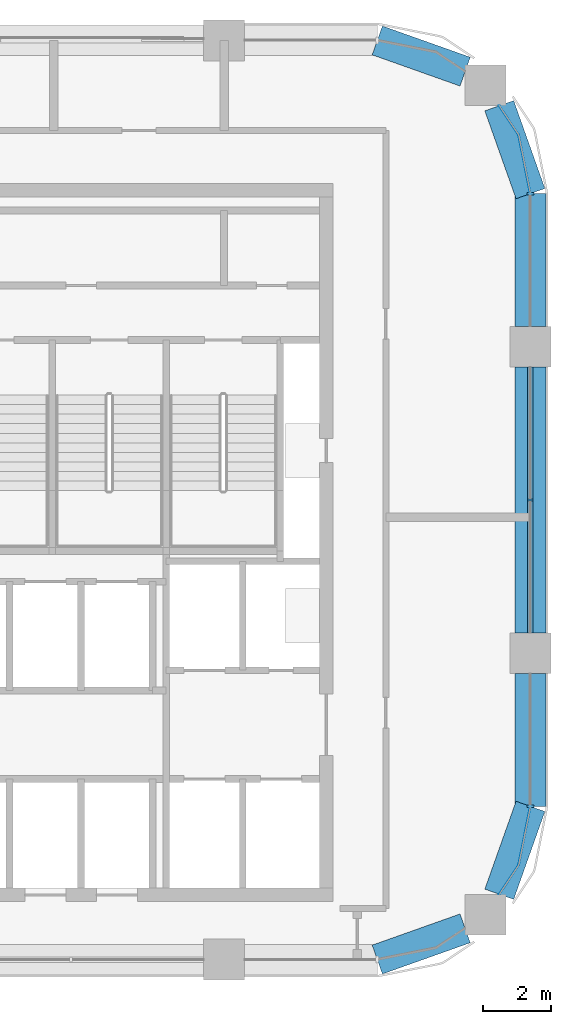
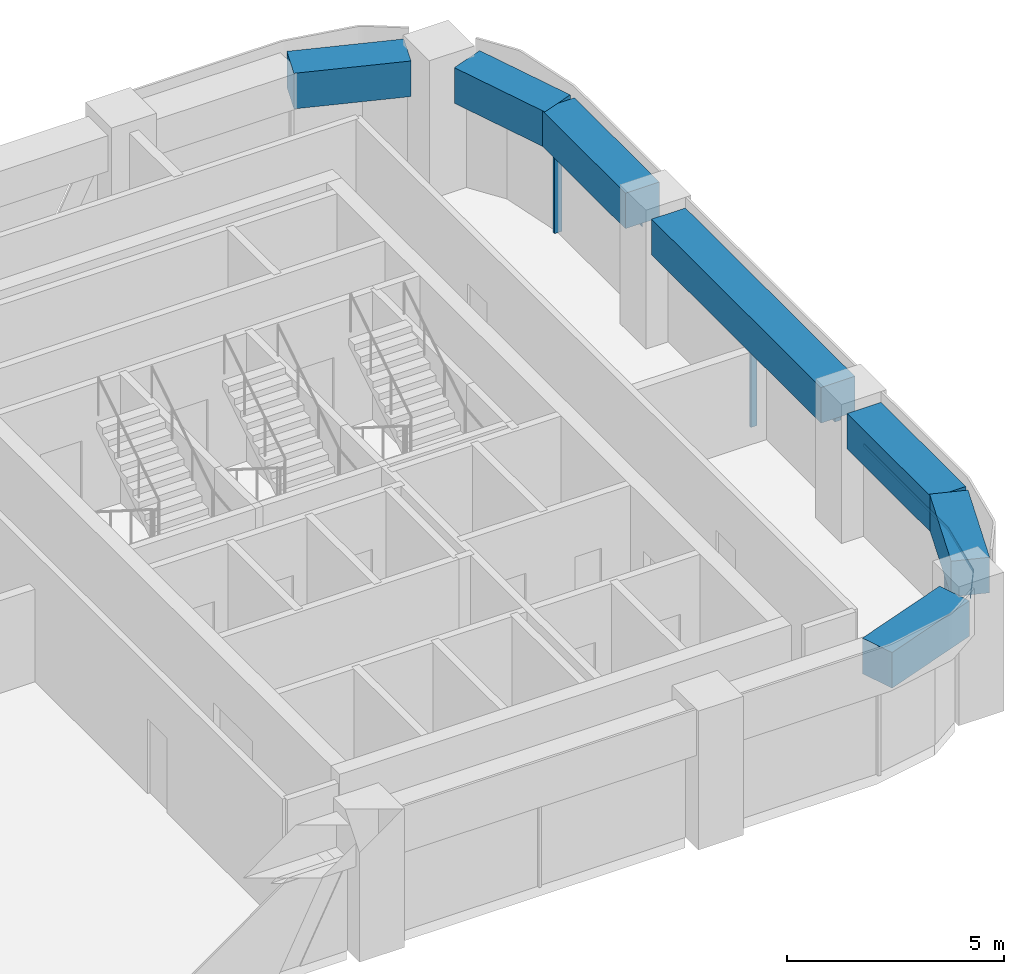
# One storey, part 5 of 10: 7 beams, 6 members, 3 elements without a shape of their own.
"""IFC4 building model written with IfcOpenShell, lengths in metres."""

from ifc_helpers import new_model, si_unit, direction, frame, origin, origin_2d, place, context, subcontext, project, spatial, polyline, rectangle, outline, extrude, material, material_profile, profile_set, type_object, element, aggregate, save


model = new_model("IFC4")

# Units and contexts
model_context = context("Model", 3, precision=1e-05, world=origin(), true_north=direction((0.0, 1.0)))
body_context = subcontext(model_context, "Body", "Model", "MODEL_VIEW")
ifc_project = project(units=[si_unit("LENGTHUNIT", "METRE"), si_unit("AREAUNIT", "SQUARE_METRE"), si_unit("VOLUMEUNIT", "CUBIC_METRE"), si_unit("PLANEANGLEUNIT", "RADIAN"), si_unit("MASSUNIT", "GRAM", prefix="KILO")], contexts=[model_context])

# Site, building, storey
site_placement = place(None, origin())
site = spatial("IfcSite", under=ifc_project, at=site_placement, CompositionType="ELEMENT")
building_placement = place(site_placement, origin())
building = spatial("IfcBuilding", under=site, at=building_placement, Name="Tessera Arch", CompositionType="ELEMENT")
storey_placement = place(building_placement, frame((0.0, 0.0, 261.800048828125)))
storey = spatial("IfcBuildingStorey", under=building, at=storey_placement, Name="L63", CompositionType="ELEMENT", Elevation=261.800048828125)

# Curtain wall, members
ifc_material_1 = material(Name="CW1 curtain wall")
curtain_wall_type_1 = type_object("IfcCurtainWallType", Name="CW1 curtain wall", PredefinedType="NOTDEFINED", material=ifc_material_1)
curtain_wall_1_placement = place(storey_placement, origin())
curtain_wall_1 = element("IfcCurtainWall", 1, at=curtain_wall_1_placement, inside=storey, type_object=curtain_wall_type_1, Name="CW1 curtain wall E54.27/0 L63", PredefinedType="NOTDEFINED")
ifc_material_2 = material(Name="Anodised aluminium pale metal", Category="aluminium")
ifc_material_profile_1 = material_profile(ifc_material_2, rectangle(XDim=0.159912109375, YDim=0.06005859375, at=origin_2d()), Name="AL 60x160")
ifc_profile_set_1 = profile_set([ifc_material_profile_1], Name="Anodised aluminium pale metal")
member_type_1 = type_object("IfcMemberType", Name="CW1 mullion", PredefinedType="MULLION", material=ifc_profile_set_1)
member_1_placement = place(storey_placement, frame((54.0, 40.5, 0.0), z_axis=(0.0, 0.0, 1.0), x_axis=(-1.0, 0.0, 0.0)))
member_1 = element("IfcMember", 2, at=member_1_placement, type_object=member_type_1, Name="CW1 mullion E54.27/0 1", PredefinedType="MULLION", context=body_context, shape_type="SweptSolid", body=[
    extrude(rectangle(XDim=0.159912109375, YDim=0.06005859375, at=origin_2d()), origin(), (0.0, 0.0, 1.0), 2.5),
])
ifc_material_3 = material(Name="Anodised aluminium pale metal", Category="aluminium")
ifc_material_profile_2 = material_profile(ifc_material_3, rectangle(XDim=0.159912109375, YDim=0.10009765625, at=origin_2d()), Name="AL 160x100")
ifc_profile_set_2 = profile_set([ifc_material_profile_2], Name="Anodised aluminium pale metal")
member_type_2 = type_object("IfcMemberType", Name="CW1 transom", PredefinedType="USERDEFINED", material=ifc_profile_set_2)
member_2_placement = place(storey_placement, frame((54.0, 36.60009765625, 2.550048828125), z_axis=(0.0, 1.0, 0.0), x_axis=(-1.0, 0.0, 0.0)))
member_2 = element("IfcMember", 3, at=member_2_placement, type_object=member_type_2, Name="CW1 transom E54.27/0 1.1", ObjectType="TRANSOM", PredefinedType="USERDEFINED", context=body_context, shape_type="SweptSolid", body=[
    extrude(rectangle(XDim=0.159912109375, YDim=0.10009765625, at=origin_2d()), origin(), (0.0, 0.0, 1.0), 7.7998046875),
])
aggregate(curtain_wall_1, [member_1, member_2])

# Curtain wall, member
ifc_material_4 = material(Name="CW2 curtain wall")
curtain_wall_type_2 = type_object("IfcCurtainWallType", Name="CW2 curtain wall", PredefinedType="NOTDEFINED", material=ifc_material_4)
curtain_wall_2_placement = place(storey_placement, origin())
curtain_wall_2 = element("IfcCurtainWall", 4, at=curtain_wall_2_placement, inside=storey, type_object=curtain_wall_type_2, Name="CW2 curtain wall E54.27/1 L63", PredefinedType="NOTDEFINED")
ifc_material_5 = material(Name="Anodised aluminium pale metal", Category="aluminium")
ifc_material_profile_3 = material_profile(ifc_material_5, rectangle(XDim=0.199951171875, YDim=0.080078125, at=origin_2d()), Name="AL 80x200")
ifc_profile_set_3 = profile_set([ifc_material_profile_3], Name="Anodised aluminium pale metal")
member_type_3 = type_object("IfcMemberType", Name="CW2 mullion", PredefinedType="MULLION", material=ifc_profile_set_3)
member_3_placement = place(storey_placement, frame((54.0, 49.5, 0.0), z_axis=(0.0, 0.0, 1.0), x_axis=(-1.0, 0.0, 0.0)))
member_3 = element("IfcMember", 5, at=member_3_placement, type_object=member_type_3, Name="CW2 mullion E54.27/1 1", PredefinedType="MULLION", context=body_context, shape_type="SweptSolid", body=[
    extrude(rectangle(XDim=0.199951171875, YDim=0.080078125, at=origin_2d()), origin(), (0.0, 0.0, 1.0), 2.5),
])

curtain_wall_3_placement = place(storey_placement, origin())
curtain_wall_3 = element("IfcCurtainWall", 6, at=curtain_wall_3_placement, inside=storey, type_object=curtain_wall_type_2, Name="CW2 curtain wall E54.27/2 L63", PredefinedType="NOTDEFINED")
member_4_placement = place(storey_placement, frame((54.0, 31.5, 0.0), z_axis=(0.0, 0.0, 1.0), x_axis=(-1.0, 0.0, 0.0)))
member_4 = element("IfcMember", 7, at=member_4_placement, type_object=member_type_3, Name="CW2 mullion E54.27/2 1", PredefinedType="MULLION", context=body_context, shape_type="SweptSolid", body=[
    extrude(rectangle(XDim=0.199951171875, YDim=0.080078125, at=origin_2d()), origin(), (0.0, 0.0, 1.0), 2.5),
])

# Member
ifc_material_6 = material(Name="Anodised aluminium pale metal", Category="aluminium")
ifc_material_profile_4 = material_profile(ifc_material_6, rectangle(XDim=0.199951171875, YDim=0.10009765625, at=origin_2d()), Name="AL 200x100")
ifc_profile_set_4 = profile_set([ifc_material_profile_4], Name="Anodised aluminium pale metal")
member_type_4 = type_object("IfcMemberType", Name="CW2 transom", PredefinedType="USERDEFINED", material=ifc_profile_set_4)
member_5_placement = place(storey_placement, frame((0.0, 0.0, 2.5)))
member_5 = element("IfcMember", 8, at=member_5_placement, type_object=member_type_4, Name="CW2 transom E54.27/1 1", ObjectType="TRANSOM", PredefinedType="USERDEFINED", context=body_context, shape_type="SweptSolid", body=[
    extrude(outline(polyline([(53.989990234375, 49.4990234375), (53.989990234375, 45.60009765625), (54.010009765625, 45.60009765625), (54.010009765625, 49.5009765625), (53.6669921875, 51.22607421875), (53.09130859375, 52.087646484375), (53.07470703125, 52.076416015625), (53.648193359375, 51.21826171875), (53.989990234375, 49.4990234375)])), origin(), (0.0, 0.0, 1.0), 0.099853515625),
])

aggregate(curtain_wall_2, [member_3, member_5])

member_6_placement = place(storey_placement, frame((0.0, 0.0, 2.5)))
member_6 = element("IfcMember", 9, at=member_6_placement, type_object=member_type_4, Name="CW2 transom E54.27/2 1", ObjectType="TRANSOM", PredefinedType="USERDEFINED", context=body_context, shape_type="SweptSolid", body=[
    extrude(outline(polyline([(53.648193359375, 29.78173828125), (53.07470703125, 28.923583984375), (53.09130859375, 28.912353515625), (53.6669921875, 29.77392578125), (54.010009765625, 31.4990234375), (54.010009765625, 35.39990234375), (53.989990234375, 35.39990234375), (53.989990234375, 31.5009765625), (53.648193359375, 29.78173828125)])), origin(), (0.0, 0.0, 1.0), 0.099853515625),
])

aggregate(curtain_wall_3, [member_4, member_6])

# Beams
ifc_material_7 = material(Name="Concrete C60/75", Category="concrete")
ifc_material_profile_5 = material_profile(ifc_material_7, rectangle(XDim=0.89990234375, YDim=1.0, at=origin_2d()), Name="RC spandrel beam 900 x 1000 Concrete C60/75")
ifc_profile_set_5 = profile_set([ifc_material_profile_5], Name="Concrete C60/75")
beam_type = type_object("IfcBeamType", Name="RC spandrel beam 900 x 1000 Concrete C60/75", PredefinedType="BEAM", material=ifc_profile_set_5)
beam_1_placement = place(storey_placement, frame((54.0, 36.60009765625, 3.099853515625), z_axis=(0.0, 1.0, 0.0), x_axis=(-1.0, 0.0, 0.0)))
element("IfcBeam", 10, at=beam_1_placement, inside=storey, type_object=beam_type, Name="Spandrel beam L63 E54.27/0", PredefinedType="BEAM", context=body_context, shape_type="SweptSolid", body=[
    extrude(rectangle(XDim=0.89990234375, YDim=1.0, at=origin_2d()), origin(), (0.0, 0.0, 1.0), 7.7998046875),
])
beam_2_placement = place(storey_placement, frame((54.0, 45.60009765625, 3.099853515625), z_axis=(0.0, 1.0, 0.0), x_axis=(-1.0, 0.0, 0.0)))
element("IfcBeam", 11, at=beam_2_placement, inside=storey, type_object=beam_type, Name="Spandrel beam L63 E54.27/1.1", PredefinedType="BEAM", context=body_context, shape_type="SweptSolid", body=[
    extrude(rectangle(XDim=0.89990234375, YDim=1.0, at=origin_2d()), origin(), (0.0, 0.0, 1.0), 3.89990234375),
])
for number, where, z_axis, x_axis, name in (
    (12, (54.0, 49.5, 3.099853515625), (-0.334665114373, 0.942337127159, 0.0), (-0.942337127159, -0.334665114373, 0.0), "Spandrel beam L63 E54.27/1.2"),
    (13, (52.08203125, 53.0830078125, 3.099853515625), (-0.942337127159, 0.334665114373, 0.0), (-0.334665114373, -0.942337127159, 0.0), "Spandrel beam L63 N54.18/0.1"),
    (14, (49.5, 27.0, 3.099853515625), (0.942337127159, 0.334665114373, 0.0), (-0.334665114373, 0.942337127159, 0.0), "Spandrel beam L63 S27.18/3.2"),
    (15, (53.0830078125, 28.91796875, 3.099853515625), (0.334665114373, 0.942337127159, 0.0), (-0.942337127159, 0.334665114373, 0.0), "Spandrel beam L63 E54.27/2.1"),
):
    element("IfcBeam", number, at=place(storey_placement, frame(where, z_axis=z_axis, x_axis=x_axis)), inside=storey, type_object=beam_type, Name=name, PredefinedType="BEAM", context=body_context, shape_type="SweptSolid", body=[
        extrude(rectangle(XDim=0.89990234375, YDim=1.0, at=origin_2d()), origin(), (0.0, 0.0, 1.0), 2.739990234375),
    ])
beam_3_placement = place(storey_placement, frame((54.0, 31.5, 3.099853515625), z_axis=(0.0, 1.0, 0.0), x_axis=(-1.0, 0.0, 0.0)))
element("IfcBeam", 16, at=beam_3_placement, inside=storey, type_object=beam_type, Name="Spandrel beam L63 E54.27/2.2", PredefinedType="BEAM", context=body_context, shape_type="SweptSolid", body=[
    extrude(rectangle(XDim=0.89990234375, YDim=1.0, at=origin_2d()), origin(), (0.0, 0.0, 1.0), 3.89990234375),
])

save(model, "model.ifc")
